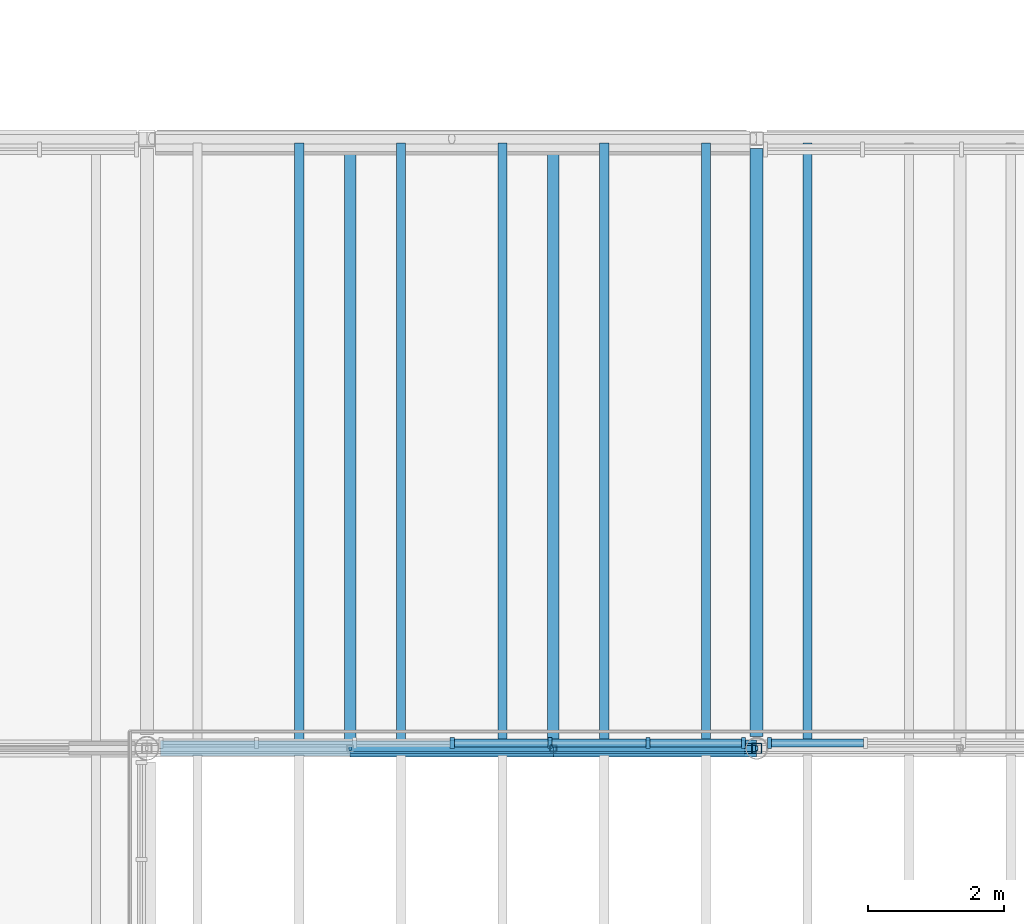
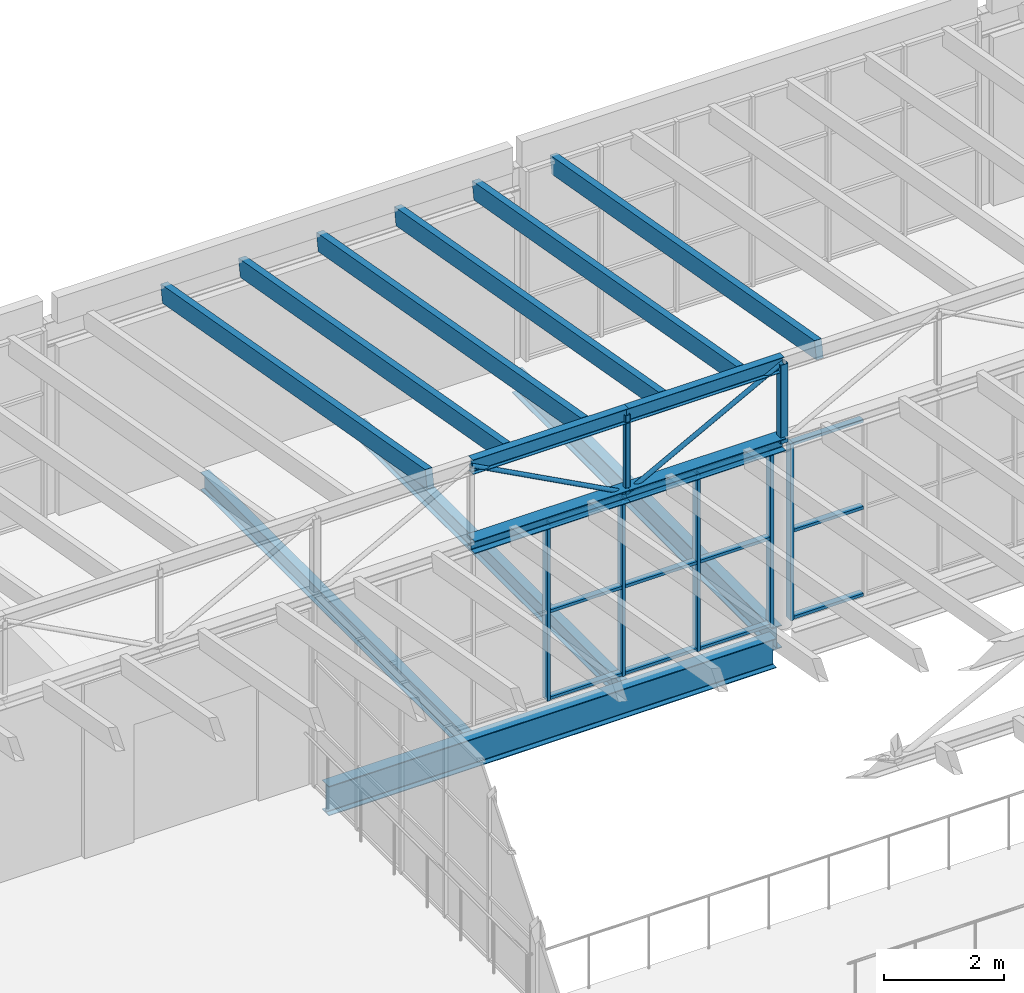
# One storey, part 15 of 44: 31 members, 4 beams, 2 elements without a shape of their own.
"""IFC4 building model written with IfcOpenShell, lengths in metres."""

from ifc_helpers import new_model, si_unit, direction, frame, origin, origin_2d, place, context, subcontext, project, spatial, rectangle, hollow_rectangle, hollow_circle, i_section, extrude, material, layer, layer_set, material_profile, profile_set, type_object, element, aggregate, save


model = new_model("IFC4")

# Units and contexts
model_context = context("Model", 3, precision=1e-05, world=origin(), true_north=direction((0.0, 1.0)))
body_context = subcontext(model_context, "Body", "Model", "MODEL_VIEW")
ifc_project = project(units=[si_unit("LENGTHUNIT", "METRE"), si_unit("AREAUNIT", "SQUARE_METRE"), si_unit("VOLUMEUNIT", "CUBIC_METRE"), si_unit("PLANEANGLEUNIT", "RADIAN"), si_unit("MASSUNIT", "GRAM", prefix="KILO")], contexts=[model_context])

# Site, building, storey
site_placement = place(None, origin())
site = spatial("IfcSite", under=ifc_project, at=site_placement, CompositionType="ELEMENT")
building_placement = place(site_placement, origin())
building = spatial("IfcBuilding", under=site, at=building_placement, Name="Halyard Row Museum", CompositionType="ELEMENT")
storey_placement = place(building_placement, frame((0.0, 0.0, 21.199951171875)))
storey = spatial("IfcBuildingStorey", under=building, at=storey_placement, Name="L04", CompositionType="ELEMENT", Elevation=21.199951171875)

# Curtain wall, member
ifc_material_1 = material(Name="Fire-resisting laminated glazing", Category="glass")
ifc_layer = layer(ifc_material_1, 0.159912109375)
ifc_layer_set = layer_set([ifc_layer], Name="Fire-resisting laminated glazing")
curtain_wall_type = type_object("IfcCurtainWallType", Name="Curtain wall atrium screen 160 deep", PredefinedType="NOTDEFINED", material=ifc_layer_set)
curtain_wall_1_placement = place(storey_placement, origin())
curtain_wall_1 = element("IfcCurtainWall", 1, at=curtain_wall_1_placement, inside=storey, type_object=curtain_wall_type, Name="Curtain wall CW106", PredefinedType="NOTDEFINED")
ifc_material_2 = material(Name="Powder-coated aluminium section", Category="aluminium")
ifc_material_profile_1 = material_profile(ifc_material_2, rectangle(XDim=0.159912109375, YDim=0.06005859375, at=origin_2d()), Name="160x60 mullion")
ifc_profile_set_1 = profile_set([ifc_material_profile_1], Name="Powder-coated aluminium section")
member_type_1 = type_object("IfcMemberType", Name="Curtain wall mullion CM5 60 x 160", PredefinedType="MULLION", material=ifc_profile_set_1)
member_1_placement = place(storey_placement, frame((90.19189453125, 27.080078125, 0.0), z_axis=(0.0, 0.0, 1.0), x_axis=(0.0, -1.0, 0.0)))
member_1 = element("IfcMember", 2, at=member_1_placement, type_object=member_type_1, Name="CW106 mullion 7", PredefinedType="MULLION", context=body_context, shape_type="SweptSolid", body=[
    extrude(rectangle(XDim=0.159912109375, YDim=0.06005859375, at=origin_2d()), origin(), (0.0, 0.0, 1.0), 3.60009765625),
])

# Curtain wall, members
curtain_wall_2_placement = place(storey_placement, origin())
curtain_wall_2 = element("IfcCurtainWall", 3, at=curtain_wall_2_placement, inside=storey, type_object=curtain_wall_type, Name="Curtain wall CW107", PredefinedType="NOTDEFINED")
member_2_placement = place(storey_placement, frame((89.80810546875, 27.080078125, 0.0), z_axis=(0.0, 0.0, 1.0), x_axis=(0.0, -1.0, 0.0)))
member_2 = element("IfcMember", 4, at=member_2_placement, type_object=member_type_1, Name="CW107 mullion 1", PredefinedType="MULLION", context=body_context, shape_type="SweptSolid", body=[
    extrude(rectangle(XDim=0.159912109375, YDim=0.06005859375, at=origin_2d()), origin(), (0.0, 0.0, 1.0), 3.60009765625),
])
member_3_placement = place(storey_placement, frame((88.394775390625, 27.080078125, 0.0), z_axis=(0.0, 0.0, 1.0), x_axis=(0.0, -1.0, 0.0)))
member_3 = element("IfcMember", 5, at=member_3_placement, type_object=member_type_1, Name="CW107 mullion 2", PredefinedType="MULLION", context=body_context, shape_type="SweptSolid", body=[
    extrude(rectangle(XDim=0.159912109375, YDim=0.06005859375, at=origin_2d()), origin(), (0.0, 0.0, 1.0), 3.60009765625),
])
member_4_placement = place(storey_placement, frame((86.951416015625, 27.080078125, 0.0), z_axis=(0.0, 0.0, 1.0), x_axis=(0.0, -1.0, 0.0)))
member_4 = element("IfcMember", 6, at=member_4_placement, type_object=member_type_1, Name="CW107 mullion 3", PredefinedType="MULLION", context=body_context, shape_type="SweptSolid", body=[
    extrude(rectangle(XDim=0.159912109375, YDim=0.06005859375, at=origin_2d()), origin(), (0.0, 0.0, 1.0), 3.60009765625),
])
member_5_placement = place(storey_placement, frame((85.5078125, 27.080078125, 0.0), z_axis=(0.0, 0.0, 1.0), x_axis=(0.0, -1.0, 0.0)))
member_5 = element("IfcMember", 7, at=member_5_placement, type_object=member_type_1, Name="CW107 mullion 4", PredefinedType="MULLION", context=body_context, shape_type="SweptSolid", body=[
    extrude(rectangle(XDim=0.159912109375, YDim=0.06005859375, at=origin_2d()), origin(), (0.0, 0.0, 1.0), 3.60009765625),
])

# Member
ifc_material_3 = material(Name="Powder-coated aluminium section", Category="aluminium")
ifc_material_profile_2 = material_profile(ifc_material_3, rectangle(XDim=0.1201171875, YDim=0.06005859375, at=origin_2d()), Name="120x60 transom")
ifc_profile_set_2 = profile_set([ifc_material_profile_2], Name="Powder-coated aluminium section")
member_type_2 = type_object("IfcMemberType", Name="Curtain wall transom CT5 60 x 120", PredefinedType="USERDEFINED", material=ifc_profile_set_2)
member_6_placement = place(storey_placement, frame((91.575439453125, 27.080078125, 0.030029296875), z_axis=(-1.0, 0.0, 0.0), x_axis=(0.0, -1.0, 0.0)))
member_6 = element("IfcMember", 8, at=member_6_placement, type_object=member_type_2, Name="CW106 transom 6.1", ObjectType="TRANSOM", PredefinedType="USERDEFINED", context=body_context, shape_type="SweptSolid", body=[
    extrude(rectangle(XDim=0.1201171875, YDim=0.06005859375, at=origin_2d()), origin(), (0.0, 0.0, 1.0), 1.353515625),
])

member_7_placement = place(storey_placement, frame((91.575439453125, 27.080078125, 1.800048828125), z_axis=(-1.0, 0.0, 0.0), x_axis=(0.0, -1.0, 0.0)))
member_7 = element("IfcMember", 9, at=member_7_placement, type_object=member_type_2, Name="CW106 transom 6.2", ObjectType="TRANSOM", PredefinedType="USERDEFINED", context=body_context, shape_type="SweptSolid", body=[
    extrude(rectangle(XDim=0.1201171875, YDim=0.06005859375, at=origin_2d()), origin(), (0.0, 0.0, 1.0), 1.353515625),
])

member_8_placement = place(storey_placement, frame((91.575439453125, 27.080078125, 3.570068359375), z_axis=(-1.0, 0.0, 0.0), x_axis=(0.0, -1.0, 0.0)))
member_8 = element("IfcMember", 10, at=member_8_placement, type_object=member_type_2, Name="CW106 transom 6.3", ObjectType="TRANSOM", PredefinedType="USERDEFINED", context=body_context, shape_type="SweptSolid", body=[
    extrude(rectangle(XDim=0.1201171875, YDim=0.06005859375, at=origin_2d()), origin(), (0.0, 0.0, 1.0), 1.353515625),
])

aggregate(curtain_wall_1, [member_1, member_6, member_7, member_8])

member_9_placement = place(storey_placement, frame((89.778076171875, 27.080078125, 0.030029296875), z_axis=(-1.0, 0.0, 0.0), x_axis=(0.0, -1.0, 0.0)))
member_9 = element("IfcMember", 11, at=member_9_placement, type_object=member_type_2, Name="CW107 transom 1.1", ObjectType="TRANSOM", PredefinedType="USERDEFINED", context=body_context, shape_type="SweptSolid", body=[
    extrude(rectangle(XDim=0.1201171875, YDim=0.06005859375, at=origin_2d()), origin(), (0.0, 0.0, 1.0), 1.353515625),
])

member_10_placement = place(storey_placement, frame((89.778076171875, 27.080078125, 1.800048828125), z_axis=(-1.0, 0.0, 0.0), x_axis=(0.0, -1.0, 0.0)))
member_10 = element("IfcMember", 12, at=member_10_placement, type_object=member_type_2, Name="CW107 transom 1.2", ObjectType="TRANSOM", PredefinedType="USERDEFINED", context=body_context, shape_type="SweptSolid", body=[
    extrude(rectangle(XDim=0.1201171875, YDim=0.06005859375, at=origin_2d()), origin(), (0.0, 0.0, 1.0), 1.353515625),
])

member_11_placement = place(storey_placement, frame((89.778076171875, 27.080078125, 3.570068359375), z_axis=(-1.0, 0.0, 0.0), x_axis=(0.0, -1.0, 0.0)))
member_11 = element("IfcMember", 13, at=member_11_placement, type_object=member_type_2, Name="CW107 transom 1.3", ObjectType="TRANSOM", PredefinedType="USERDEFINED", context=body_context, shape_type="SweptSolid", body=[
    extrude(rectangle(XDim=0.1201171875, YDim=0.06005859375, at=origin_2d()), origin(), (0.0, 0.0, 1.0), 1.353515625),
])

member_12_placement = place(storey_placement, frame((88.36474609375, 27.080078125, 0.030029296875), z_axis=(-1.0, 0.0, 0.0), x_axis=(0.0, -1.0, 0.0)))
member_12 = element("IfcMember", 14, at=member_12_placement, type_object=member_type_2, Name="CW107 transom 2.1", ObjectType="TRANSOM", PredefinedType="USERDEFINED", context=body_context, shape_type="SweptSolid", body=[
    extrude(rectangle(XDim=0.1201171875, YDim=0.06005859375, at=origin_2d()), origin(), (0.0, 0.0, 1.0), 1.383544921875),
])

member_13_placement = place(storey_placement, frame((88.36474609375, 27.080078125, 1.800048828125), z_axis=(-1.0, 0.0, 0.0), x_axis=(0.0, -1.0, 0.0)))
member_13 = element("IfcMember", 15, at=member_13_placement, type_object=member_type_2, Name="CW107 transom 2.2", ObjectType="TRANSOM", PredefinedType="USERDEFINED", context=body_context, shape_type="SweptSolid", body=[
    extrude(rectangle(XDim=0.1201171875, YDim=0.06005859375, at=origin_2d()), origin(), (0.0, 0.0, 1.0), 1.383544921875),
])

member_14_placement = place(storey_placement, frame((88.36474609375, 27.080078125, 3.570068359375), z_axis=(-1.0, 0.0, 0.0), x_axis=(0.0, -1.0, 0.0)))
member_14 = element("IfcMember", 16, at=member_14_placement, type_object=member_type_2, Name="CW107 transom 2.3", ObjectType="TRANSOM", PredefinedType="USERDEFINED", context=body_context, shape_type="SweptSolid", body=[
    extrude(rectangle(XDim=0.1201171875, YDim=0.06005859375, at=origin_2d()), origin(), (0.0, 0.0, 1.0), 1.383544921875),
])

member_15_placement = place(storey_placement, frame((86.92138671875, 27.080078125, 0.030029296875), z_axis=(-1.0, 0.0, 0.0), x_axis=(0.0, -1.0, 0.0)))
member_15 = element("IfcMember", 17, at=member_15_placement, type_object=member_type_2, Name="CW107 transom 3.1", ObjectType="TRANSOM", PredefinedType="USERDEFINED", context=body_context, shape_type="SweptSolid", body=[
    extrude(rectangle(XDim=0.1201171875, YDim=0.06005859375, at=origin_2d()), origin(), (0.0, 0.0, 1.0), 1.383544921875),
])

member_16_placement = place(storey_placement, frame((86.92138671875, 27.080078125, 1.800048828125), z_axis=(-1.0, 0.0, 0.0), x_axis=(0.0, -1.0, 0.0)))
member_16 = element("IfcMember", 18, at=member_16_placement, type_object=member_type_2, Name="CW107 transom 3.2", ObjectType="TRANSOM", PredefinedType="USERDEFINED", context=body_context, shape_type="SweptSolid", body=[
    extrude(rectangle(XDim=0.1201171875, YDim=0.06005859375, at=origin_2d()), origin(), (0.0, 0.0, 1.0), 1.383544921875),
])

member_17_placement = place(storey_placement, frame((86.92138671875, 27.080078125, 3.570068359375), z_axis=(-1.0, 0.0, 0.0), x_axis=(0.0, -1.0, 0.0)))
member_17 = element("IfcMember", 19, at=member_17_placement, type_object=member_type_2, Name="CW107 transom 3.3", ObjectType="TRANSOM", PredefinedType="USERDEFINED", context=body_context, shape_type="SweptSolid", body=[
    extrude(rectangle(XDim=0.1201171875, YDim=0.06005859375, at=origin_2d()), origin(), (0.0, 0.0, 1.0), 1.383544921875),
])

aggregate(curtain_wall_2, [member_2, member_3, member_4, member_5, member_9, member_10, member_11, member_12, member_13, member_14, member_15, member_16, member_17])

# Beam
ifc_material_4 = material(Name="Steel Grade 300", Category="steel")
ifc_material_profile_3 = material_profile(ifc_material_4, i_section(OverallWidth=0.19091796875, OverallDepth=0.46044921875, WebThickness=0.010009765625, FlangeThickness=0.01611328125, FilletRadius=0.011474609375, at=origin_2d()), Name="460UB82.1")
ifc_profile_set_3 = profile_set([ifc_material_profile_3], Name="Steel Grade 300")
beam_type_1 = type_object("IfcBeamType", Name="Girder beam 460UB82.1", PredefinedType="BEAM", material=ifc_profile_set_3)
beam_1_placement = place(storey_placement, frame((90.0, 27.177734375, -0.395263671875), z_axis=(0.0, 1.0, 0.0), x_axis=(-1.0, 0.0, 0.0)))
element("IfcBeam", 20, at=beam_1_placement, inside=storey, type_object=beam_type_1, Name="Beam L04-026", PredefinedType="BEAM", context=body_context, shape_type="SweptSolid", body=[
    extrude(i_section(OverallWidth=0.19091796875, OverallDepth=0.46044921875, WebThickness=0.010009765625, FlangeThickness=0.01611328125, FilletRadius=0.011474609375, at=origin_2d()), origin(), (0.0, 0.0, 1.0), 8.67236328125),
])

# Members
ifc_material_5 = material(Name="Glulam GL12 radiata pine", Category="wood")
ifc_material_profile_4 = material_profile(ifc_material_5, rectangle(XDim=0.135009765625, YDim=0.360107421875, at=origin_2d()), Name="GL12 135x360")
ifc_profile_set_4 = profile_set([ifc_material_profile_4], Name="Glulam GL12 radiata pine")
member_type_3 = type_object("IfcMemberType", Name="Rafter GL12 135x360", PredefinedType="RAFTER", material=ifc_profile_set_4)
for number, where, z_axis, x_axis, name in (
    (21, (83.25, 27.074462890625, 5.283935546875), (0.0, 0.984561882288, -0.175036853105), (-1.0, 0.0, 0.0), "Rafter V2-T4a.8"),
    (22, (84.75, 27.074462890625, 5.283935546875), (0.0, 0.984561882288, -0.175036853105), (-1.0, 0.0, 0.0), "Rafter V2-T4a.9"),
    (23, (86.25, 27.074462890625, 5.283935546875), (0.0, 0.984561882288, -0.175036853105), (-1.0, 0.0, 0.0), "Rafter V2-T4a.10"),
    (24, (87.75, 27.074462890625, 5.283935546875), (0.0, 0.984561882288, -0.175036853105), (-1.0, 0.0, 0.0), "Rafter V2-T4a.11"),
    (25, (89.25, 27.074462890625, 5.283935546875), (0.0, 0.984561882288, -0.175036853105), (-1.0, 0.0, 0.0), "Rafter V2-T4a.12"),
    (26, (90.75, 27.074462890625, 5.283935546875), (0.0, 0.984561882288, -0.175036853105), (-1.0, 0.0, 0.0), "Rafter V2-T4a.13"),
):
    element("IfcMember", number, at=place(storey_placement, frame(where, z_axis=z_axis, x_axis=x_axis)), inside=storey, type_object=member_type_3, Name=name, PredefinedType="RAFTER", context=body_context, shape_type="SweptSolid", body=[
        extrude(rectangle(XDim=0.135009765625, YDim=0.360107421875, at=origin_2d()), origin(), (0.0, 0.0, 1.0), 8.968505859375),
    ])

# Beams
ifc_material_6 = material(Name="Steel Grade 300", Category="steel")
ifc_material_profile_5 = material_profile(ifc_material_6, i_section(OverallWidth=0.1708984375, OverallDepth=0.355712890625, WebThickness=0.00732421875, FlangeThickness=0.011474609375, FilletRadius=0.011474609375, at=origin_2d()), Name="360UB50.7")
ifc_profile_set_5 = profile_set([ifc_material_profile_5], Name="Steel Grade 300")
beam_type_2 = type_object("IfcBeamType", Name="Secondary beam 360UB50.7", PredefinedType="BEAM", material=ifc_profile_set_5)
for number, where, z_axis, x_axis, name in (
    (27, (84.0, 27.114013671875, -0.3427734375), (0.0, 1.0, 0.0), (-1.0, 0.0, 0.0), "Beam L04-049"),
    (28, (87.0, 27.114013671875, -0.3427734375), (0.0, 1.0, 0.0), (-1.0, 0.0, 0.0), "Beam L04-050"),
):
    element("IfcBeam", number, at=place(storey_placement, frame(where, z_axis=z_axis, x_axis=x_axis)), inside=storey, type_object=beam_type_2, Name=name, PredefinedType="BEAM", context=body_context, shape_type="SweptSolid", body=[
        extrude(i_section(OverallWidth=0.1708984375, OverallDepth=0.355712890625, WebThickness=0.00732421875, FlangeThickness=0.011474609375, FilletRadius=0.011474609375, at=origin_2d()), origin(), (0.0, 0.0, 1.0), 8.760986328125),
    ])

# Members
ifc_material_7 = material(Name="Steel Grade 300", Category="steel")
ifc_material_profile_6 = material_profile(ifc_material_7, i_section(OverallWidth=0.25390625, OverallDepth=0.25390625, WebThickness=0.008544921875, FlangeThickness=0.01416015625, FilletRadius=0.013916015625, at=origin_2d()), Name="250UC72.9")
ifc_profile_set_6 = profile_set([ifc_material_profile_6], Name="Steel Grade 300")
member_type_4 = type_object("IfcMemberType", Name="Valley truss bottom chord 250UC72.9", PredefinedType="CHORD", material=ifc_profile_set_6)
for number, where, z_axis, x_axis, name in (
    (29, (84.0, 27.0, 3.72705078125), (1.0, 0.0, 0.0), (0.0, 1.0, 0.0), "V2-VT4 bottom chord 2.2"),
    (30, (87.0, 27.0, 3.72705078125), (1.0, 0.0, 0.0), (0.0, 1.0, 0.0), "V2-VT4 bottom chord 2.3"),
):
    element("IfcMember", number, at=place(storey_placement, frame(where, z_axis=z_axis, x_axis=x_axis)), inside=storey, type_object=member_type_4, Name=name, PredefinedType="CHORD", context=body_context, shape_type="SweptSolid", body=[
        extrude(i_section(OverallWidth=0.25390625, OverallDepth=0.25390625, WebThickness=0.008544921875, FlangeThickness=0.01416015625, FilletRadius=0.013916015625, at=origin_2d()), origin(), (0.0, 0.0, 1.0), 3.0),
    ])
ifc_material_8 = material(Name="Steel Grade C250L0", Category="steel")
ifc_material_profile_7 = material_profile(ifc_material_8, hollow_circle(Radius=0.04443359375, WallThickness=0.0048828125, at=origin_2d()), Name="88.9x5.0CHS")
ifc_profile_set_7 = profile_set([ifc_material_profile_7], Name="Steel Grade C250L0")
member_type_5 = type_object("IfcMemberType", Name="Valley truss diagonal 88.9x5.0CHS", PredefinedType="BRACE", material=ifc_profile_set_7)
for number, where, z_axis, x_axis, name in (
    (31, (84.0, 27.0, 5.3310546875), (0.881863759518, 0.0, -0.471504305016), (0.0, 1.0, 0.0), "V2-VT4 diagonal 2.2"),
    (32, (87.0, 27.0, 3.72705078125), (0.881863759518, 0.0, 0.471504305016), (0.0, 1.0, 0.0), "V2-VT4 diagonal 2.3"),
):
    element("IfcMember", number, at=place(storey_placement, frame(where, z_axis=z_axis, x_axis=x_axis)), inside=storey, type_object=member_type_5, Name=name, PredefinedType="BRACE", context=body_context, shape_type="SweptSolid", body=[
        extrude(hollow_circle(Radius=0.04443359375, WallThickness=0.0048828125, at=origin_2d()), origin(), (0.0, 0.0, 1.0), 3.40185546875),
    ])
ifc_material_9 = material(Name="Steel Grade C350L0", Category="steel")
ifc_material_profile_8 = material_profile(ifc_material_9, hollow_rectangle(XDim=0.10009765625, YDim=0.10009765625, WallThickness=0.006103515625, InnerFilletRadius=0.009033203125, OuterFilletRadius=0.014892578125, at=origin_2d()), Name="100x100x6.0SHS")
ifc_profile_set_8 = profile_set([ifc_material_profile_8], Name="Steel Grade C350L0")
member_type_6 = type_object("IfcMemberType", Name="Valley truss post 100x100x6.0SHS", PredefinedType="POST", material=ifc_profile_set_8)
member_18_placement = place(storey_placement, frame((87.0, 27.0, 3.72705078125), z_axis=(0.0, 0.0, 1.0), x_axis=(1.0, 0.0, 0.0)))
element("IfcMember", 33, at=member_18_placement, inside=storey, type_object=member_type_6, Name="V2-VT4 post 2.2", PredefinedType="POST", context=body_context, shape_type="SweptSolid", body=[
    extrude(hollow_rectangle(XDim=0.10009765625, YDim=0.10009765625, WallThickness=0.006103515625, InnerFilletRadius=0.009033203125, OuterFilletRadius=0.014892578125, at=origin_2d()), origin(), (0.0, 0.0, 1.0), 1.60400390625),
])
ifc_material_10 = material(Name="Steel Grade C350L0", Category="steel")
ifc_material_profile_9 = material_profile(ifc_material_10, hollow_rectangle(XDim=0.14990234375, YDim=0.14990234375, WallThickness=0.006103515625, InnerFilletRadius=0.009033203125, OuterFilletRadius=0.014892578125, at=origin_2d()), Name="150x150x6.0SHS")
ifc_profile_set_9 = profile_set([ifc_material_profile_9], Name="Steel Grade C350L0")
member_type_7 = type_object("IfcMemberType", Name="Valley truss post 150x150x6.0SHS", PredefinedType="POST", material=ifc_profile_set_9)
member_19_placement = place(storey_placement, frame((90.0, 27.0, 3.72705078125), z_axis=(0.0, 0.0, 1.0), x_axis=(1.0, 0.0, 0.0)))
element("IfcMember", 34, at=member_19_placement, inside=storey, type_object=member_type_7, Name="V2-VT4 post 2.3", PredefinedType="POST", context=body_context, shape_type="SweptSolid", body=[
    extrude(hollow_rectangle(XDim=0.14990234375, YDim=0.14990234375, WallThickness=0.006103515625, InnerFilletRadius=0.009033203125, OuterFilletRadius=0.014892578125, at=origin_2d()), origin(), (0.0, 0.0, 1.0), 1.60400390625),
])
ifc_material_11 = material(Name="Steel Grade 300", Category="steel")
ifc_material_profile_10 = material_profile(ifc_material_11, i_section(OverallWidth=0.14892578125, OverallDepth=0.298095703125, WebThickness=0.005615234375, FlangeThickness=0.008056640625, FilletRadius=0.012939453125, at=origin_2d()), Name="310UB32.0")
ifc_profile_set_10 = profile_set([ifc_material_profile_10], Name="Steel Grade 300")
member_type_8 = type_object("IfcMemberType", Name="Valley truss top chord 310UB32.0", PredefinedType="CHORD", material=ifc_profile_set_10)
for number, where, z_axis, x_axis, name in (
    (35, (84.0, 27.0, 5.3310546875), (1.0, 0.0, 0.0), (0.0, 1.0, 0.0), "V2-VT4 top chord 2.2"),
    (36, (87.0, 27.0, 5.3310546875), (1.0, 0.0, 0.0), (0.0, 1.0, 0.0), "V2-VT4 top chord 2.3"),
):
    element("IfcMember", number, at=place(storey_placement, frame(where, z_axis=z_axis, x_axis=x_axis)), inside=storey, type_object=member_type_8, Name=name, PredefinedType="CHORD", context=body_context, shape_type="SweptSolid", body=[
        extrude(i_section(OverallWidth=0.14892578125, OverallDepth=0.298095703125, WebThickness=0.005615234375, FlangeThickness=0.008056640625, FilletRadius=0.012939453125, at=origin_2d()), origin(), (0.0, 0.0, 1.0), 3.0),
    ])

# Beam
ifc_material_12 = material(Name="Steel Grade 300", Category="steel")
ifc_material_profile_11 = material_profile(ifc_material_12, i_section(OverallWidth=0.22802734375, OverallDepth=0.60205078125, WebThickness=0.010498046875, FlangeThickness=0.014892578125, FilletRadius=0.013916015625, at=origin_2d()), Name="610UB101")
ifc_profile_set_11 = profile_set([ifc_material_profile_11], Name="Steel Grade 300")
beam_type_3 = type_object("IfcBeamType", Name="Void edge beam 610UB101", PredefinedType="BEAM", material=ifc_profile_set_11)
beam_2_placement = place(storey_placement, frame((81.203125, 27.0, -0.466064453125), z_axis=(1.0, 0.0, 0.0), x_axis=(0.0, 1.0, 0.0)))
element("IfcBeam", 37, at=beam_2_placement, inside=storey, type_object=beam_type_3, Name="Beam L04-012", PredefinedType="BEAM", context=body_context, shape_type="SweptSolid", body=[
    extrude(i_section(OverallWidth=0.22802734375, OverallDepth=0.60205078125, WebThickness=0.010498046875, FlangeThickness=0.014892578125, FilletRadius=0.013916015625, at=origin_2d()), origin(), (0.0, 0.0, 1.0), 8.619140625),
])

save(model, "model.ifc")
